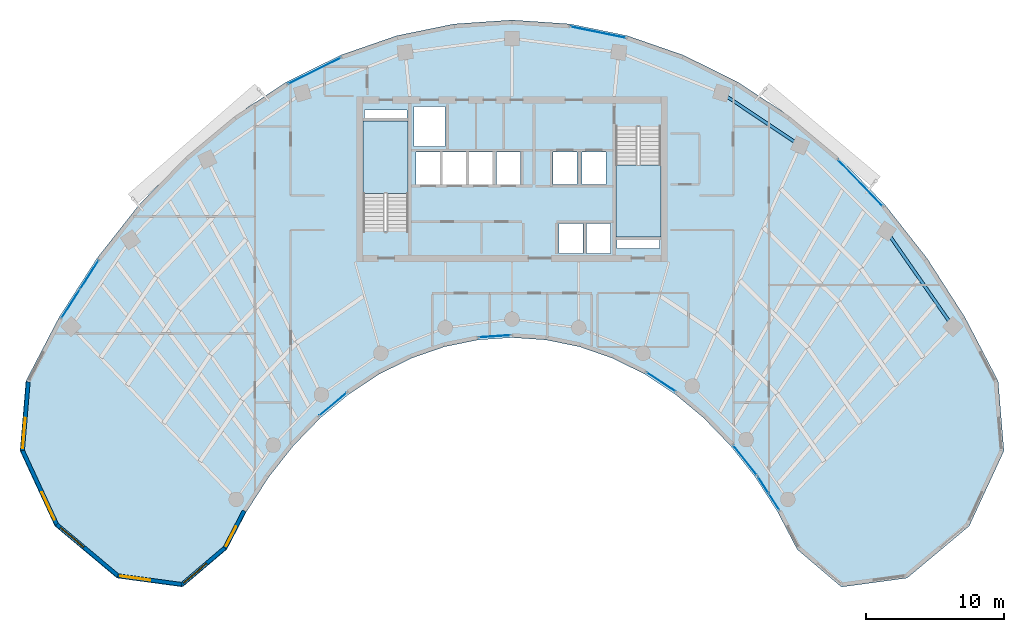
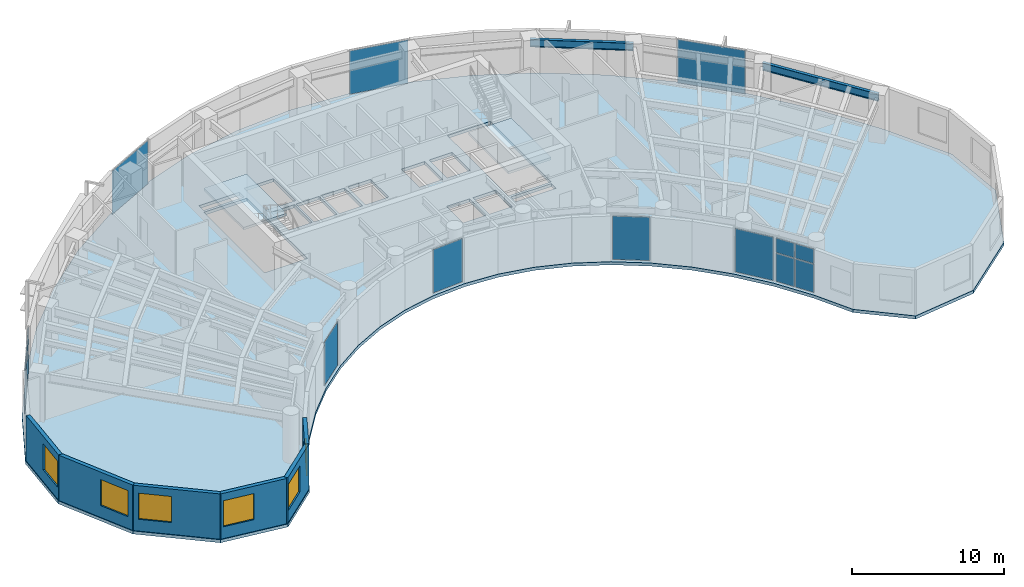
# One storey, part 6 of 13: 15 plates, 6 walls, 6 windows, 3 slabs, 2 beams, 6 openings, 11 elements without a shape of their own.
"""IFC4 building model written with IfcOpenShell, lengths in metres."""

from ifc_helpers import new_model, si_unit, direction, frame, frame_2d, origin, origin_2d, place, context, subcontext, project, spatial, polyline, rectangle, i_section, outline, extrude, source, transform, mapped, material, layer, layer_set, material_profile, profile_set, type_object, type_shapes, element, fill, aggregate, save


model = new_model("IFC4")

# Units and contexts
model_context = context("Model", 3, precision=1e-05, world=origin(), true_north=direction((0.0, 1.0)))
body_context = subcontext(model_context, "Body", "Model", "MODEL_VIEW")
ifc_project = project(units=[si_unit("LENGTHUNIT", "METRE"), si_unit("AREAUNIT", "SQUARE_METRE"), si_unit("VOLUMEUNIT", "CUBIC_METRE"), si_unit("PLANEANGLEUNIT", "RADIAN"), si_unit("MASSUNIT", "GRAM", prefix="KILO")], contexts=[model_context])

# Site, building, storey
site_placement = place(None, origin())
site = spatial("IfcSite", under=ifc_project, at=site_placement, CompositionType="ELEMENT")
building_placement = place(site_placement, origin())
building = spatial("IfcBuilding", under=site, at=building_placement, Name="Breltana Convention Tower", CompositionType="ELEMENT")
storey_placement = place(building_placement, frame((0.0, 0.0, 142.800048828125)))
storey = spatial("IfcBuildingStorey", under=building, at=storey_placement, Name="L34", CompositionType="ELEMENT", Elevation=142.800048828125)

# Beams
ifc_material_1 = material(Name="Steel ASTM A992 Grade 50", Category="steel")
ifc_material_profile = material_profile(ifc_material_1, i_section(OverallWidth=0.22802734375, OverallDepth=0.60791015625, WebThickness=0.01123046875, FlangeThickness=0.017333984375, at=origin_2d()), Name="W24X76")
ifc_profile_set = profile_set([ifc_material_profile], Name="Steel ASTM A992 Grade 50")
beam_type = type_object("IfcBeamType", Name="BM-SP-W24X76", PredefinedType="SPANDREL", material=ifc_profile_set)
shared_shape_1 = source(origin(), body_context, "Body", "SweptSolid", [
    extrude(i_section(OverallWidth=0.22802734375, OverallDepth=0.60791015625, WebThickness=0.01123046875, FlangeThickness=0.017333984375, at=origin_2d()), origin(), (0.0, 0.0, 1.0), 6.856689453125),
])
beam_1_placement = place(storey_placement, frame((63.208984375, 72.4423828125, 3.345947265625), z_axis=(0.83150210718, -0.55552159792, 0.0), x_axis=(0.55552159792, 0.83150210718, 0.0)))
element("IfcBeam", 1, at=beam_1_placement, inside=storey, type_object=beam_type, Name="L34 Outer Spandrel Beam 08", PredefinedType="SPANDREL", context=body_context, shape_type="MappedRepresentation", body=[
    mapped(shared_shape_1, transform((0.0, 0.0, 0.0), scale=1.0)),
])
shared_shape_2 = source(origin(), body_context, "Body", "SweptSolid", [
    extrude(i_section(OverallWidth=0.22802734375, OverallDepth=0.60791015625, WebThickness=0.01123046875, FlangeThickness=0.017333984375, at=origin_2d()), origin(), (0.0, 0.0, 1.0), 8.44970703125),
])
beam_2_placement = place(storey_placement, frame((75.166748046875, 62.43017578125, 3.345947265625), z_axis=(0.5711855381, -0.820820979913, 0.0), x_axis=(0.820820979913, 0.5711855381, 0.0)))
element("IfcBeam", 2, at=beam_2_placement, inside=storey, type_object=beam_type, Name="L34 Outer Spandrel Beam 10", PredefinedType="SPANDREL", context=body_context, shape_type="MappedRepresentation", body=[
    mapped(shared_shape_2, transform((0.0, 0.0, 0.0), scale=1.0)),
])

# Slab
ifc_material_2 = material(Name="Concrete C40/50", Category="concrete")
ifc_layer_1 = layer(ifc_material_2, 0.25, Name="Concrete C40/50")
ifc_layer_set_1 = layer_set([ifc_layer_1], Name="Concrete C40/50")
slab_type_1 = type_object("IfcSlabType", Name="SL-OFF-250", PredefinedType="FLOOR", material=ifc_layer_set_1)
slab_1_placement = place(storey_placement, frame((0.0, 0.0, -0.25)))
element("IfcSlab", 3, at=slab_1_placement, inside=storey, type_object=slab_type_1, Name="L34 Suspended Structural Floor Slab", PredefinedType="FLOOR", context=body_context, shape_type="SweptSolid", body=[
    extrude(outline(polyline([(83.27880859375, 51.539794921875), (80.870361328125, 56.166015625), (78.12548828125, 60.442138671875), (75.072265625, 64.32470703125), (71.74169921875, 67.774169921875), (68.168212890625, 70.7548828125), (64.387939453125, 73.236328125), (60.440185546875, 75.193115234375), (56.36474609375, 76.60546875), (52.203857421875, 77.45849609375), (48.0, 77.743896484375), (43.796142578125, 77.45849609375), (39.63525390625, 76.60546875), (35.559814453125, 75.193115234375), (31.612060546875, 73.236328125), (27.831787109375, 70.7548828125), (24.25830078125, 67.774169921875), (20.927734375, 64.32470703125), (17.87451171875, 60.442138671875), (15.129638671875, 56.166015625), (12.72119140625, 51.539794921875), (12.298095703125, 46.4794921875), (14.822509765625, 41.019287109375), (19.329833984375, 37.2451171875), (24.098876953125, 36.598388671875), (27.3076171875, 39.326171875), (28.72021484375, 42.03955078125), (30.330078125, 44.5478515625), (32.12109375, 46.8251953125), (34.07470703125, 48.848388671875), (36.170654296875, 50.5966796875), (38.3876953125, 52.052001953125), (40.703369140625, 53.19970703125), (43.09375, 54.0283203125), (45.5341796875, 54.528564453125), (48.0, 54.696044921875), (50.4658203125, 54.528564453125), (52.90625, 54.0283203125), (55.296630859375, 53.19970703125), (57.6123046875, 52.052001953125), (59.829345703125, 50.5966796875), (61.92529296875, 48.848388671875), (63.87890625, 46.8251953125), (65.669921875, 44.5478515625), (67.27978515625, 42.03955078125), (68.6923828125, 39.326171875), (71.901123046875, 36.598388671875), (76.670166015625, 37.2451171875), (81.177490234375, 41.019287109375), (83.701904296875, 46.4794921875), (83.27880859375, 51.539794921875)]), holes=[polyline([(37.199951171875, 62.385009765625), (40.469970703125, 62.385009765625), (40.469970703125, 70.39990234375), (37.199951171875, 70.39990234375), (37.199951171875, 62.385009765625)]), polyline([(55.530029296875, 62.0), (58.800048828125, 62.0), (58.800048828125, 70.014892578125), (55.530029296875, 70.014892578125), (55.530029296875, 62.0)]), polyline([(51.39990234375, 60.800048828125), (53.159912109375, 60.800048828125), (53.159912109375, 62.97998046875), (51.39990234375, 62.97998046875), (51.39990234375, 60.800048828125)]), polyline([(53.39990234375, 60.800048828125), (55.159912109375, 60.800048828125), (55.159912109375, 62.97998046875), (53.39990234375, 62.97998046875), (53.39990234375, 60.800048828125)]), polyline([(41.0400390625, 65.820068359375), (42.800048828125, 65.820068359375), (42.800048828125, 68.179931640625), (41.0400390625, 68.179931640625), (41.0400390625, 65.820068359375)]), polyline([(42.93994140625, 65.820068359375), (44.699951171875, 65.820068359375), (44.699951171875, 68.179931640625), (42.93994140625, 68.179931640625), (42.93994140625, 65.820068359375)]), polyline([(44.8701171875, 65.820068359375), (46.6298828125, 65.820068359375), (46.6298828125, 68.179931640625), (44.8701171875, 68.179931640625), (44.8701171875, 65.820068359375)]), polyline([(46.8701171875, 65.820068359375), (48.6298828125, 65.820068359375), (48.6298828125, 68.179931640625), (46.8701171875, 68.179931640625), (46.8701171875, 65.820068359375)]), polyline([(50.969970703125, 65.800048828125), (52.72998046875, 65.800048828125), (52.72998046875, 68.179931640625), (50.969970703125, 68.179931640625), (50.969970703125, 65.800048828125)]), polyline([(53.070068359375, 65.800048828125), (54.830078125, 65.800048828125), (54.830078125, 68.179931640625), (53.070068359375, 68.179931640625), (53.070068359375, 65.800048828125)]), polyline([(40.8798828125, 68.550048828125), (43.1201171875, 68.550048828125), (43.1201171875, 71.449951171875), (40.8798828125, 71.449951171875), (40.8798828125, 68.550048828125)]), polyline([(37.300048828125, 70.60009765625), (40.3798828125, 70.60009765625), (40.3798828125, 71.219970703125), (37.300048828125, 71.219970703125), (37.300048828125, 70.60009765625)]), polyline([(55.6201171875, 61.179931640625), (58.699951171875, 61.179931640625), (58.699951171875, 61.800048828125), (55.6201171875, 61.800048828125), (55.6201171875, 61.179931640625)])]), origin(), (0.0, 0.0, 1.0), 0.25),
])

# Stair, slab
stair_type = type_object("IfcStairType", Name="ST-DOG-1560-R177", PredefinedType="HALF_TURN_STAIR", material=ifc_material_2)
stair_1_placement = place(storey_placement, origin())
stair_1 = element("IfcStair", 4, at=stair_1_placement, inside=storey, type_object=stair_type, Name="L34 Protected Core Exit Stair ST-1", PredefinedType="HALF_TURN_STAIR")
ifc_layer_2 = layer(ifc_material_2, 0.199951171875, Name="Concrete C40/50")
ifc_layer_set_2 = layer_set([ifc_layer_2], Name="Concrete C40/50")
slab_type_2 = type_object("IfcSlabType", Name="SL-STAIR-LANDING-200", PredefinedType="LANDING", material=ifc_layer_set_2)
slab_2_placement = place(storey_placement, frame((0.0, 0.0, 1.75)))
slab_2 = element("IfcSlab", 5, at=slab_2_placement, type_object=slab_type_2, Name="ST-1 landing 1", PredefinedType="LANDING", context=body_context, shape_type="SweptSolid", body=[
    extrude(outline(polyline([(40.469970703125, 65.159912109375), (40.469970703125, 70.39990234375), (37.199951171875, 70.39990234375), (37.199951171875, 65.159912109375), (40.469970703125, 65.159912109375)])), origin(), (0.0, 0.0, 1.0), 0.199951171875),
])
aggregate(stair_1, [slab_2])

stair_2_placement = place(storey_placement, origin())
stair_2 = element("IfcStair", 6, at=stair_2_placement, inside=storey, type_object=stair_type, Name="L34 Protected Core Exit Stair ST-2", PredefinedType="HALF_TURN_STAIR")
slab_3_placement = place(storey_placement, frame((0.0, 0.0, 1.75)))
slab_3 = element("IfcSlab", 7, at=slab_3_placement, type_object=slab_type_2, Name="ST-2 landing 1", PredefinedType="LANDING", context=body_context, shape_type="SweptSolid", body=[
    extrude(outline(polyline([(55.530029296875, 67.239990234375), (55.530029296875, 62.0), (58.800048828125, 62.0), (58.800048828125, 67.239990234375), (55.530029296875, 67.239990234375)])), origin(), (0.0, 0.0, 1.0), 0.199951171875),
])
aggregate(stair_2, [slab_3])

# Curtain wall, plates
ifc_material_3 = material(Name="Aluminium Anodised Bronze Frame", Category="aluminium")
ifc_layer_3 = layer(ifc_material_3, 0.18994140625, Name="Aluminium Anodised Bronze Frame")
ifc_layer_set_3 = layer_set([ifc_layer_3], Name="Aluminium Anodised Bronze Frame")
curtain_wall_type_1 = type_object("IfcCurtainWallType", Name="CW-SYS-1", PredefinedType="NOTDEFINED", material=ifc_layer_set_3)
curtain_wall_1_placement = place(storey_placement, origin())
curtain_wall_1 = element("IfcCurtainWall", 8, at=curtain_wall_1_placement, inside=storey, type_object=curtain_wall_type_1, Name="L34 inner south-court glazing 1", PredefinedType="NOTDEFINED")
ifc_material_4 = material(Name="Glass Low-E Double Glazing", Category="glass")
ifc_layer_4 = layer(ifc_material_4, 0.028076171875, Name="Glass Low-E Double Glazing")
ifc_layer_set_4 = layer_set([ifc_layer_4], Name="Glass Low-E Double Glazing")
plate_type = type_object("IfcPlateType", Name="CWP-IGU-28", PredefinedType="CURTAIN_PANEL", material=ifc_layer_set_4)
shared_shape_3 = source(origin(), body_context, "Body", "SweptSolid", [
    extrude(rectangle(XDim=1.3701171875, YDim=0.028076171875, at=origin_2d()), origin(), (0.0, 0.0, 1.0), 2.25244140625),
])
plate_1_placement = place(storey_placement, frame((67.01806640625, 42.78076171875, 0.080078125), z_axis=(0.0, 0.0, 1.0), x_axis=(-0.540184298954, 0.841546744491, 0.0)))
plate_1 = element("IfcPlate", 9, at=plate_1_placement, type_object=plate_type, Name="CW-01 panel 1.1", PredefinedType="CURTAIN_PANEL", context=body_context, shape_type="MappedRepresentation", body=[
    mapped(shared_shape_3, transform((0.0, 0.0, 0.0), scale=1.0)),
])
plate_2_placement = place(storey_placement, frame((66.234619140625, 44.001220703125, 0.080078125), z_axis=(0.0, 0.0, 1.0), x_axis=(-0.540184298954, 0.841546744491, 0.0)))
plate_2 = element("IfcPlate", 10, at=plate_2_placement, type_object=plate_type, Name="CW-01 panel 2.1", PredefinedType="CURTAIN_PANEL", context=body_context, shape_type="MappedRepresentation", body=[
    mapped(shared_shape_3, transform((0.0, 0.0, 0.0), scale=1.0)),
])
shared_shape_4 = source(origin(), body_context, "Body", "SweptSolid", [
    extrude(rectangle(XDim=1.3701171875, YDim=0.028076171875, at=origin_2d()), origin(), (0.0, 0.0, 1.0), 1.157470703125),
])
plate_3_placement = place(storey_placement, frame((67.01806640625, 42.78076171875, 2.41259765625), z_axis=(0.0, 0.0, 1.0), x_axis=(-0.540184298954, 0.841546744491, 0.0)))
plate_3 = element("IfcPlate", 11, at=plate_3_placement, type_object=plate_type, Name="CW-01 panel 1.2", PredefinedType="CURTAIN_PANEL", context=body_context, shape_type="MappedRepresentation", body=[
    mapped(shared_shape_4, transform((0.0, 0.0, 0.0), scale=1.0)),
])
plate_4_placement = place(storey_placement, frame((66.234619140625, 44.001220703125, 2.41259765625), z_axis=(0.0, 0.0, 1.0), x_axis=(-0.540184298954, 0.841546744491, 0.0)))
plate_4 = element("IfcPlate", 12, at=plate_4_placement, type_object=plate_type, Name="CW-01 panel 2.2", PredefinedType="CURTAIN_PANEL", context=body_context, shape_type="MappedRepresentation", body=[
    mapped(shared_shape_4, transform((0.0, 0.0, 0.0), scale=1.0)),
])
aggregate(curtain_wall_1, [plate_1, plate_3, plate_2, plate_4])

# Curtain wall, plate
curtain_wall_2_placement = place(storey_placement, origin())
curtain_wall_2 = element("IfcCurtainWall", 13, at=curtain_wall_2_placement, inside=storey, type_object=curtain_wall_type_1, Name="L34 inner south-court glazing 2", PredefinedType="NOTDEFINED")
shared_shape_5 = source(origin(), body_context, "Body", "SweptSolid", [
    extrude(rectangle(XDim=2.737060546875, YDim=0.028076171875, at=origin_2d()), origin(), (0.0, 0.0, 1.0), 3.489990234375),
])
plate_5_placement = place(storey_placement, frame((64.915771484375, 45.7978515625, 0.080078125), z_axis=(0.0, 0.0, 1.0), x_axis=(-0.618161435717, 0.786051168431, 0.0)))
plate_5 = element("IfcPlate", 14, at=plate_5_placement, type_object=plate_type, Name="CW-01 panel 1.1", PredefinedType="CURTAIN_PANEL", context=body_context, shape_type="MappedRepresentation", body=[
    mapped(shared_shape_5, transform((0.0, 0.0, 0.0), scale=1.0)),
])
aggregate(curtain_wall_2, [plate_5])

curtain_wall_3_placement = place(storey_placement, origin())
curtain_wall_3 = element("IfcCurtainWall", 15, at=curtain_wall_3_placement, inside=storey, type_object=curtain_wall_type_1, Name="L34 inner south-court glazing 3", PredefinedType="NOTDEFINED")
shared_shape_6 = source(origin(), body_context, "Body", "SweptSolid", [
    extrude(rectangle(XDim=2.4921875, YDim=0.028076171875, at=origin_2d()), origin(), (0.0, 0.0, 1.0), 3.489990234375),
])
plate_6_placement = place(storey_placement, frame((58.819580078125, 51.474853515625, 0.080078125), z_axis=(0.0, 0.0, 1.0), x_axis=(-0.835985210307, 0.548751973252, 0.0)))
plate_6 = element("IfcPlate", 16, at=plate_6_placement, type_object=plate_type, Name="CW-01 panel 1.1", PredefinedType="CURTAIN_PANEL", context=body_context, shape_type="MappedRepresentation", body=[
    mapped(shared_shape_6, transform((0.0, 0.0, 0.0), scale=1.0)),
])
aggregate(curtain_wall_3, [plate_6])

curtain_wall_4_placement = place(storey_placement, origin())
curtain_wall_4 = element("IfcCurtainWall", 17, at=curtain_wall_4_placement, inside=storey, type_object=curtain_wall_type_1, Name="L34 inner south-court glazing 4", PredefinedType="NOTDEFINED")
shared_shape_7 = source(origin(), body_context, "Body", "SweptSolid", [
    extrude(rectangle(XDim=2.3115234375, YDim=0.028076171875, at=origin_2d()), origin(), (0.0, 0.0, 1.0), 3.489990234375),
])
plate_7_placement = place(storey_placement, frame((46.7548828125, 54.7919921875, 0.080078125), z_axis=(0.0, 0.0, 1.0), x_axis=(-0.997703496195, -0.067732810965, 0.0)))
plate_7 = element("IfcPlate", 18, at=plate_7_placement, type_object=plate_type, Name="CW-01 panel 1.1", PredefinedType="CURTAIN_PANEL", context=body_context, shape_type="MappedRepresentation", body=[
    mapped(shared_shape_7, transform((0.0, 0.0, 0.0), scale=1.0)),
])
aggregate(curtain_wall_4, [plate_7])

curtain_wall_5_placement = place(storey_placement, origin())
curtain_wall_5 = element("IfcCurtainWall", 19, at=curtain_wall_5_placement, inside=storey, type_object=curtain_wall_type_1, Name="L34 inner south-court glazing 5", PredefinedType="NOTDEFINED")
shared_shape_8 = source(origin(), body_context, "Body", "SweptSolid", [
    extrude(rectangle(XDim=2.5693359375, YDim=0.028076171875, at=origin_2d()), origin(), (0.0, 0.0, 1.0), 3.489990234375),
])
plate_8_placement = place(storey_placement, frame((35.00732421875, 49.860595703125, 0.080078125), z_axis=(0.0, 0.0, 1.0), x_axis=(-0.767926895316, -0.640537495741, 0.0)))
plate_8 = element("IfcPlate", 20, at=plate_8_placement, type_object=plate_type, Name="CW-01 panel 1.1", PredefinedType="CURTAIN_PANEL", context=body_context, shape_type="MappedRepresentation", body=[
    mapped(shared_shape_8, transform((0.0, 0.0, 0.0), scale=1.0)),
])
aggregate(curtain_wall_5, [plate_8])

# Curtain wall, plates
ifc_layer_5 = layer(ifc_material_3, 0.2099609375, Name="Aluminium Anodised Bronze Frame")
ifc_layer_set_5 = layer_set([ifc_layer_5], Name="Aluminium Anodised Bronze Frame")
curtain_wall_type_2 = type_object("IfcCurtainWallType", Name="CW-SYS-3", PredefinedType="NOTDEFINED", material=ifc_layer_set_5)
curtain_wall_6_placement = place(storey_placement, origin())
curtain_wall_6 = element("IfcCurtainWall", 21, at=curtain_wall_6_placement, inside=storey, type_object=curtain_wall_type_2, Name="L34 outer double-skin inner glazing 1", PredefinedType="NOTDEFINED")
shared_shape_9 = source(origin(), body_context, "Body", "SweptSolid", [
    extrude(rectangle(XDim=2.42724609375, YDim=0.028076171875, at=origin_2d()), origin(), (0.0, 0.0, 1.0), 2.25244140625),
])
plate_9_placement = place(storey_placement, frame((15.97900390625, 57.15576171875, 0.080078125), z_axis=(0.0, 0.0, 1.0), x_axis=(0.54017267843, 0.841554203529, 0.0)))
plate_9 = element("IfcPlate", 22, at=plate_9_placement, type_object=plate_type, Name="CW-03 panel 1.1", PredefinedType="CURTAIN_PANEL", context=body_context, shape_type="MappedRepresentation", body=[
    mapped(shared_shape_9, transform((0.0, 0.0, 0.0), scale=1.0)),
])
plate_10_placement = place(storey_placement, frame((17.327880859375, 59.25732421875, 0.080078125), z_axis=(0.0, 0.0, 1.0), x_axis=(0.54017267843, 0.841554203529, 0.0)))
plate_10 = element("IfcPlate", 23, at=plate_10_placement, type_object=plate_type, Name="CW-03 panel 2.1", PredefinedType="CURTAIN_PANEL", context=body_context, shape_type="MappedRepresentation", body=[
    mapped(shared_shape_9, transform((0.0, 0.0, 0.0), scale=1.0)),
])
shared_shape_10 = source(origin(), body_context, "Body", "SweptSolid", [
    extrude(rectangle(XDim=2.42724609375, YDim=0.028076171875, at=origin_2d()), origin(), (0.0, 0.0, 1.0), 1.157470703125),
])
plate_11_placement = place(storey_placement, frame((15.97900390625, 57.15576171875, 2.41259765625), z_axis=(0.0, 0.0, 1.0), x_axis=(0.54017267843, 0.841554203529, 0.0)))
plate_11 = element("IfcPlate", 24, at=plate_11_placement, type_object=plate_type, Name="CW-03 panel 1.2", PredefinedType="CURTAIN_PANEL", context=body_context, shape_type="MappedRepresentation", body=[
    mapped(shared_shape_10, transform((0.0, 0.0, 0.0), scale=1.0)),
])
plate_12_placement = place(storey_placement, frame((17.327880859375, 59.25732421875, 2.41259765625), z_axis=(0.0, 0.0, 1.0), x_axis=(0.54017267843, 0.841554203529, 0.0)))
plate_12 = element("IfcPlate", 25, at=plate_12_placement, type_object=plate_type, Name="CW-03 panel 2.2", PredefinedType="CURTAIN_PANEL", context=body_context, shape_type="MappedRepresentation", body=[
    mapped(shared_shape_10, transform((0.0, 0.0, 0.0), scale=1.0)),
])
aggregate(curtain_wall_6, [plate_9, plate_11, plate_10, plate_12])

# Curtain wall, plate
curtain_wall_7_placement = place(storey_placement, origin())
curtain_wall_7 = element("IfcCurtainWall", 26, at=curtain_wall_7_placement, inside=storey, type_object=curtain_wall_type_2, Name="L34 outer double-skin inner glazing 2", PredefinedType="NOTDEFINED")
shared_shape_11 = source(origin(), body_context, "Body", "SweptSolid", [
    extrude(rectangle(XDim=4.243896484375, YDim=0.028076171875, at=origin_2d()), origin(), (0.0, 0.0, 1.0), 3.489990234375),
])
plate_13_placement = place(storey_placement, frame((33.665771484375, 74.053466796875, 0.080078125), z_axis=(0.0, 0.0, 1.0), x_axis=(0.895968385619, 0.444117835682, 0.0)))
plate_13 = element("IfcPlate", 27, at=plate_13_placement, type_object=plate_type, Name="CW-03 panel 1.1", PredefinedType="CURTAIN_PANEL", context=body_context, shape_type="MappedRepresentation", body=[
    mapped(shared_shape_11, transform((0.0, 0.0, 0.0), scale=1.0)),
])
aggregate(curtain_wall_7, [plate_13])

curtain_wall_8_placement = place(storey_placement, origin())
curtain_wall_8 = element("IfcCurtainWall", 28, at=curtain_wall_8_placement, inside=storey, type_object=curtain_wall_type_2, Name="L34 outer double-skin inner glazing 3", PredefinedType="NOTDEFINED")
shared_shape_12 = source(origin(), body_context, "Body", "SweptSolid", [
    extrude(rectangle(XDim=4.08349609375, YDim=0.028076171875, at=origin_2d()), origin(), (0.0, 0.0, 1.0), 3.489990234375),
])
plate_14_placement = place(storey_placement, frame((54.248291015625, 76.855712890625, 0.080078125), z_axis=(0.0, 0.0, 1.0), x_axis=(0.979616560993, -0.200876562668, 0.0)))
plate_14 = element("IfcPlate", 29, at=plate_14_placement, type_object=plate_type, Name="CW-03 panel 1.1", PredefinedType="CURTAIN_PANEL", context=body_context, shape_type="MappedRepresentation", body=[
    mapped(shared_shape_12, transform((0.0, 0.0, 0.0), scale=1.0)),
])
aggregate(curtain_wall_8, [plate_14])

curtain_wall_9_placement = place(storey_placement, origin())
curtain_wall_9 = element("IfcCurtainWall", 30, at=curtain_wall_9_placement, inside=storey, type_object=curtain_wall_type_2, Name="L34 outer double-skin inner glazing 4", PredefinedType="NOTDEFINED")
shared_shape_13 = source(origin(), body_context, "Body", "SweptSolid", [
    extrude(rectangle(XDim=4.635986328125, YDim=0.028076171875, at=origin_2d()), origin(), (0.0, 0.0, 1.0), 3.489990234375),
])
plate_15_placement = place(storey_placement, frame((73.277587890625, 65.92431640625, 0.080078125), z_axis=(0.0, 0.0, 1.0), x_axis=(0.694602734297, -0.719393523398, 0.0)))
plate_15 = element("IfcPlate", 31, at=plate_15_placement, type_object=plate_type, Name="CW-03 panel 1.1", PredefinedType="CURTAIN_PANEL", context=body_context, shape_type="MappedRepresentation", body=[
    mapped(shared_shape_13, transform((0.0, 0.0, 0.0), scale=1.0)),
])
aggregate(curtain_wall_9, [plate_15])

# Wall, opening, window
ifc_material_5 = material(Name="Limestone Buff Insulated Wall", Category="masonry")
ifc_layer_6 = layer(ifc_material_5, 0.280029296875, Name="Limestone Buff Insulated Wall")
ifc_layer_set_6 = layer_set([ifc_layer_6], Name="Limestone Buff Insulated Wall")
wall_type = type_object("IfcWallType", Name="WL-EXT-NOSE-280", PredefinedType="SOLIDWALL", material=ifc_layer_set_6)
shared_shape_14 = source(origin(), body_context, "Body", "SweptSolid", [
    extrude(rectangle(XDim=4.994384765625, YDim=0.280029296875, at=frame_2d((2.4970703125, 0.0))), origin(), (0.0, 0.0, 1.0), 3.64990234375),
])
wall_1_placement = place(storey_placement, frame((12.4814453125, 46.51171875, 0.0), z_axis=(0.0, 0.0, 1.0), x_axis=(0.083344839916, 0.996520766296, 0.0)))
wall_1 = element("IfcWall", 32, at=wall_1_placement, inside=storey, type_object=wall_type, Name="L34 curved limestone nose wall W6", PredefinedType="SOLIDWALL", context=body_context, shape_type="MappedRepresentation", body=[
    mapped(shared_shape_14, transform((0.0, 0.0, 0.0), scale=1.0)),
])
opening_1_placement = place(wall_1_placement, frame((0.159912109375, 0.0, 0.949951171875)))
opening_1 = element("IfcOpeningElement", 33, at=opening_1_placement, cuts=wall_1, Name="Opening W-03", PredefinedType="OPENING", context=body_context, shape_type="SweptSolid", body=[
    extrude(rectangle(XDim=2.199951171875, YDim=2.10009765625, at=frame_2d((1.10009765625, 1.050048828125))), frame((0.0, 0.14990234375, 0.0), z_axis=(0.0, -1.0, 0.0), x_axis=(1.0, 0.0, 0.0)), (0.0, 0.0, 1.0), 0.300048828125),
])
ifc_material_6 = material(Name="Glass Low-E Insulated Window", Category="glass")
window_type_1 = type_object("IfcWindowType", Name="WN-NOSE-2200X2100", PartitioningType="TRIPLE_PANEL_VERTICAL", PredefinedType="WINDOW", material=ifc_material_6)
shared_shape_15 = source(origin(), body_context, "Body", "SweptSolid", [
    extrude(rectangle(XDim=2.199951171875, YDim=2.10009765625, at=frame_2d((1.10009765625, 1.050048828125))), frame((0.0, 0.030029296875, 0.0), z_axis=(0.0, -1.0, 0.0), x_axis=(1.0, 0.0, 0.0)), (0.0, 0.0, 1.0), 0.06005859375),
])
type_shapes(window_type_1, [shared_shape_15])
window_1_placement = place(opening_1_placement, origin())
window_1 = element("IfcWindow", 34, at=window_1_placement, inside=storey, type_object=window_type_1, Name="L34 nose window W6", OverallHeight=2.10009765625, OverallWidth=2.199951171875, PartitioningType="TRIPLE_PANEL_VERTICAL", PredefinedType="WINDOW", context=body_context, shape_type="MappedRepresentation", body=[
    mapped(shared_shape_15, transform((0.0, 0.0, 0.0), scale=1.0)),
])
fill(opening_1, window_1)

shared_shape_16 = source(origin(), body_context, "Body", "SweptSolid", [
    extrude(rectangle(XDim=5.927490234375, YDim=0.280029296875, at=frame_2d((2.9638671875, 0.0))), origin(), (0.0, 0.0, 1.0), 3.64990234375),
])
wall_2_placement = place(storey_placement, frame((14.968994140625, 41.13134765625, 0.0), z_axis=(0.0, 0.0, 1.0), x_axis=(-0.419656204795, 0.907683132914, 0.0)))
wall_2 = element("IfcWall", 35, at=wall_2_placement, inside=storey, type_object=wall_type, Name="L34 curved limestone nose wall W5", PredefinedType="SOLIDWALL", context=body_context, shape_type="MappedRepresentation", body=[
    mapped(shared_shape_16, transform((0.0, 0.0, 0.0), scale=1.0)),
])
opening_2_placement = place(wall_2_placement, frame((0.3818359375, 0.0, 0.949951171875)))
opening_2 = element("IfcOpeningElement", 36, at=opening_2_placement, cuts=wall_2, Name="Opening W-03", PredefinedType="OPENING", context=body_context, shape_type="SweptSolid", body=[
    extrude(rectangle(XDim=2.199951171875, YDim=2.10009765625, at=frame_2d((1.10009765625, 1.050048828125))), frame((0.0, 0.14990234375, 0.0), z_axis=(0.0, -1.0, 0.0), x_axis=(1.0, 0.0, 0.0)), (0.0, 0.0, 1.0), 0.300048828125),
])
window_2_placement = place(opening_2_placement, origin())
window_2 = element("IfcWindow", 37, at=window_2_placement, inside=storey, type_object=window_type_1, Name="L34 nose window W5", OverallHeight=2.10009765625, OverallWidth=2.199951171875, PartitioningType="TRIPLE_PANEL_VERTICAL", PredefinedType="WINDOW", context=body_context, shape_type="MappedRepresentation", body=[
    mapped(shared_shape_15, transform((0.0, 0.0, 0.0), scale=1.0)),
])
fill(opening_2, window_2)

shared_shape_17 = source(origin(), body_context, "Body", "SweptSolid", [
    extrude(rectangle(XDim=5.786376953125, YDim=0.280029296875, at=frame_2d((2.89306640625, 0.0))), origin(), (0.0, 0.0, 1.0), 3.64990234375),
])
wall_3_placement = place(storey_placement, frame((19.405517578125, 37.41650390625, 0.0), z_axis=(0.0, 0.0, 1.0), x_axis=(-0.766711306852, 0.641992034176, 0.0)))
wall_3 = element("IfcWall", 38, at=wall_3_placement, inside=storey, type_object=wall_type, Name="L34 curved limestone nose wall W4", PredefinedType="SOLIDWALL", context=body_context, shape_type="MappedRepresentation", body=[
    mapped(shared_shape_17, transform((0.0, 0.0, 0.0), scale=1.0)),
])
opening_3_placement = place(wall_3_placement, frame((3.239990234375, 0.0, 0.949951171875)))
opening_3 = element("IfcOpeningElement", 39, at=opening_3_placement, cuts=wall_3, Name="Opening W-03", PredefinedType="OPENING", context=body_context, shape_type="SweptSolid", body=[
    extrude(rectangle(XDim=2.199951171875, YDim=2.10009765625, at=frame_2d((1.10009765625, 1.050048828125))), frame((0.0, 0.14990234375, 0.0), z_axis=(0.0, -1.0, 0.0), x_axis=(1.0, 0.0, 0.0)), (0.0, 0.0, 1.0), 0.300048828125),
])
window_3_placement = place(opening_3_placement, origin())
window_3 = element("IfcWindow", 40, at=window_3_placement, inside=storey, type_object=window_type_1, Name="L34 nose window W4", OverallHeight=2.10009765625, OverallWidth=2.199951171875, PartitioningType="TRIPLE_PANEL_VERTICAL", PredefinedType="WINDOW", context=body_context, shape_type="MappedRepresentation", body=[
    mapped(shared_shape_15, transform((0.0, 0.0, 0.0), scale=1.0)),
])
fill(opening_3, window_3)

shared_shape_18 = source(origin(), body_context, "Body", "SweptSolid", [
    extrude(rectangle(XDim=4.680419921875, YDim=0.280029296875, at=frame_2d((2.34033203125, 0.0))), origin(), (0.0, 0.0, 1.0), 3.64990234375),
])
wall_4_placement = place(storey_placement, frame((24.04345703125, 36.78759765625, 0.0), z_axis=(0.0, 0.0, 1.0), x_axis=(-0.990931146435, 0.134370618162, 0.0)))
wall_4 = element("IfcWall", 41, at=wall_4_placement, inside=storey, type_object=wall_type, Name="L34 curved limestone nose wall W3", PredefinedType="SOLIDWALL", context=body_context, shape_type="MappedRepresentation", body=[
    mapped(shared_shape_18, transform((0.0, 0.0, 0.0), scale=1.0)),
])
opening_4_placement = place(wall_4_placement, frame((2.3203125, 0.0, 0.949951171875)))
opening_4 = element("IfcOpeningElement", 42, at=opening_4_placement, cuts=wall_4, Name="Opening W-03", PredefinedType="OPENING", context=body_context, shape_type="SweptSolid", body=[
    extrude(rectangle(XDim=2.199951171875, YDim=2.10009765625, at=frame_2d((1.10009765625, 1.050048828125))), frame((0.0, 0.14990234375, 0.0), z_axis=(0.0, -1.0, 0.0), x_axis=(1.0, 0.0, 0.0)), (0.0, 0.0, 1.0), 0.300048828125),
])
window_4_placement = place(opening_4_placement, origin())
window_4 = element("IfcWindow", 43, at=window_4_placement, inside=storey, type_object=window_type_1, Name="L34 nose window W3", OverallHeight=2.10009765625, OverallWidth=2.199951171875, PartitioningType="TRIPLE_PANEL_VERTICAL", PredefinedType="WINDOW", context=body_context, shape_type="MappedRepresentation", body=[
    mapped(shared_shape_15, transform((0.0, 0.0, 0.0), scale=1.0)),
])
fill(opening_4, window_4)

shared_shape_19 = source(origin(), body_context, "Body", "SweptSolid", [
    extrude(rectangle(XDim=4.095947265625, YDim=0.280029296875, at=frame_2d((2.0478515625, 0.0))), origin(), (0.0, 0.0, 1.0), 3.64990234375),
])
wall_5_placement = place(storey_placement, frame((27.164306640625, 39.4404296875, 0.0), z_axis=(0.0, 0.0, 1.0), x_axis=(-0.761926081737, -0.647663991564, 0.0)))
wall_5 = element("IfcWall", 44, at=wall_5_placement, inside=storey, type_object=wall_type, Name="L34 curved limestone nose wall W2", PredefinedType="SOLIDWALL", context=body_context, shape_type="MappedRepresentation", body=[
    mapped(shared_shape_19, transform((0.0, 0.0, 0.0), scale=1.0)),
])
opening_5_placement = place(wall_5_placement, frame((1.736083984375, 0.0, 0.949951171875)))
opening_5 = element("IfcOpeningElement", 45, at=opening_5_placement, cuts=wall_5, Name="Opening W-03", PredefinedType="OPENING", context=body_context, shape_type="SweptSolid", body=[
    extrude(rectangle(XDim=2.199951171875, YDim=2.10009765625, at=frame_2d((1.10009765625, 1.050048828125))), frame((0.0, 0.14990234375, 0.0), z_axis=(0.0, -1.0, 0.0), x_axis=(1.0, 0.0, 0.0)), (0.0, 0.0, 1.0), 0.300048828125),
])
window_5_placement = place(opening_5_placement, origin())
window_5 = element("IfcWindow", 46, at=window_5_placement, inside=storey, type_object=window_type_1, Name="L34 nose window W2", OverallHeight=2.10009765625, OverallWidth=2.199951171875, PartitioningType="TRIPLE_PANEL_VERTICAL", PredefinedType="WINDOW", context=body_context, shape_type="MappedRepresentation", body=[
    mapped(shared_shape_15, transform((0.0, 0.0, 0.0), scale=1.0)),
])
fill(opening_5, window_5)

shared_shape_20 = source(origin(), body_context, "Body", "SweptSolid", [
    extrude(rectangle(XDim=3.02392578125, YDim=0.280029296875, at=frame_2d((1.511962890625, 0.0))), origin(), (0.0, 0.0, 1.0), 3.64990234375),
])
wall_6_placement = place(storey_placement, frame((28.560546875, 42.122802734375, 0.0), z_axis=(0.0, 0.0, 1.0), x_axis=(-0.461718746531, -0.887026380161, 0.0)))
wall_6 = element("IfcWall", 47, at=wall_6_placement, inside=storey, type_object=wall_type, Name="L34 curved limestone nose wall W1", PredefinedType="SOLIDWALL", context=body_context, shape_type="MappedRepresentation", body=[
    mapped(shared_shape_20, transform((0.0, 0.0, 0.0), scale=1.0)),
])
opening_6_placement = place(wall_6_placement, frame((1.263916015625, 0.0, 0.949951171875)))
opening_6 = element("IfcOpeningElement", 48, at=opening_6_placement, cuts=wall_6, Name="Opening W-04", PredefinedType="OPENING", context=body_context, shape_type="SweptSolid", body=[
    extrude(rectangle(XDim=1.60009765625, YDim=1.89990234375, at=frame_2d((0.800048828125, 0.949951171875))), frame((0.0, 0.14990234375, 0.0), z_axis=(0.0, -1.0, 0.0), x_axis=(1.0, 0.0, 0.0)), (0.0, 0.0, 1.0), 0.300048828125),
])
window_type_2 = type_object("IfcWindowType", Name="WN-NOSE-1600X1900", PartitioningType="SINGLE_PANEL", PredefinedType="WINDOW", material=ifc_material_6)
shared_shape_21 = source(origin(), body_context, "Body", "SweptSolid", [
    extrude(rectangle(XDim=1.60009765625, YDim=1.89990234375, at=frame_2d((0.800048828125, 0.949951171875))), frame((0.0, 0.030029296875, 0.0), z_axis=(0.0, -1.0, 0.0), x_axis=(1.0, 0.0, 0.0)), (0.0, 0.0, 1.0), 0.06005859375),
])
type_shapes(window_type_2, [shared_shape_21])
window_6_placement = place(opening_6_placement, origin())
window_6 = element("IfcWindow", 49, at=window_6_placement, inside=storey, type_object=window_type_2, Name="L34 nose window W1", OverallHeight=1.89990234375, OverallWidth=1.60009765625, PartitioningType="SINGLE_PANEL", PredefinedType="WINDOW", context=body_context, shape_type="MappedRepresentation", body=[
    mapped(shared_shape_21, transform((0.0, 0.0, 0.0), scale=1.0)),
])
fill(opening_6, window_6)

save(model, "model.ifc")
